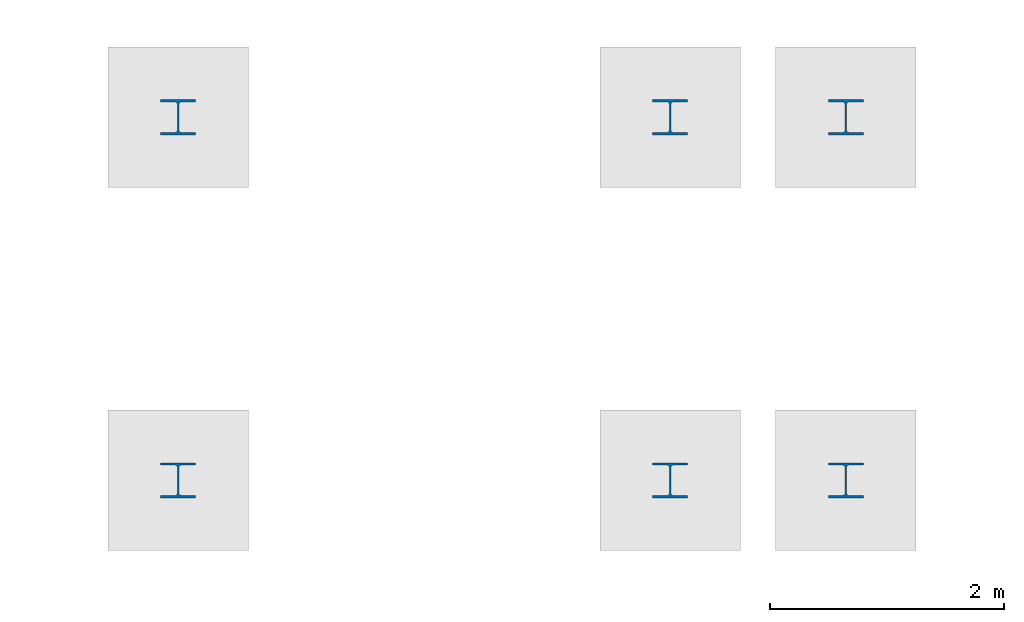
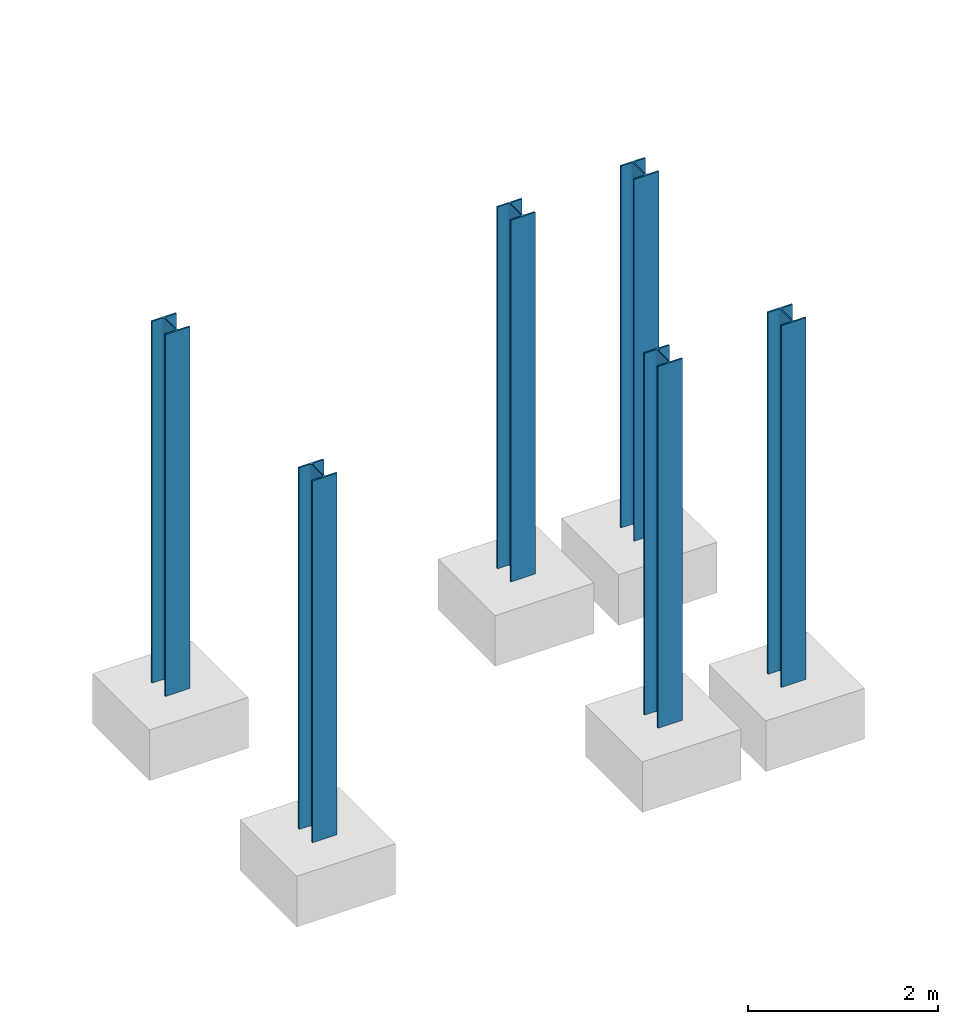
# One storey, part 6 of 22: 6 columns.
"""IFC4 building model written with IfcOpenShell, lengths in metres."""

from ifc_helpers import new_model, si_unit, direction, frame, origin, origin_2d, place, context, subcontext, project, spatial, i_section, extrude, material, material_profile, profile_set, type_object, element, save


model = new_model("IFC4")

# Units and contexts
model_context = context("Model", 3, precision=1e-05, world=origin(), true_north=direction((0.0, 1.0)))
body_context = subcontext(model_context, "Body", "Model", "MODEL_VIEW")
ifc_project = project(units=[si_unit("LENGTHUNIT", "METRE"), si_unit("AREAUNIT", "SQUARE_METRE"), si_unit("VOLUMEUNIT", "CUBIC_METRE"), si_unit("PLANEANGLEUNIT", "RADIAN"), si_unit("MASSUNIT", "GRAM", prefix="KILO")], contexts=[model_context])

# Site, building, storey
site_placement = place(None, origin())
site = spatial("IfcSite", under=ifc_project, at=site_placement, CompositionType="ELEMENT")
building_placement = place(site_placement, origin())
building = spatial("IfcBuilding", under=site, at=building_placement, Name="Mithqara Police Headquarters", CompositionType="ELEMENT")
storey_placement = place(building_placement, frame((0.0, 0.0, -8.39990234375)))
storey = spatial("IfcBuildingStorey", under=building, at=storey_placement, Name="B2", CompositionType="ELEMENT", Elevation=-8.39990234375)

# Columns
ifc_material = material(Name="Steel S355JR", Category="steel")
ifc_material_profile = material_profile(ifc_material, i_section(OverallWidth=0.300048828125, OverallDepth=0.300048828125, WebThickness=0.010986328125, FlangeThickness=0.01904296875, FilletRadius=0.027099609375, at=origin_2d()), Name="HEB 300")
ifc_profile_set = profile_set([ifc_material_profile], Name="Steel S355JR")
column_type = type_object("IfcColumnType", Name="COLUMN HEB300", PredefinedType="COLUMN", material=ifc_profile_set)
for number, where, z_axis, x_axis, name in (
    (1, (74.949951171875, 36.10009765625, -0.4501953125), (0.0, 0.0, 1.0), (1.0, 0.0, 0.0), "B2 Hall Stair Support Column"),
    (2, (74.949951171875, 39.199951171875, -0.4501953125), (0.0, 0.0, 1.0), (1.0, 0.0, 0.0), "B2 Hall Stair Support Column"),
    (3, (79.14990234375, 36.10009765625, -0.4501953125), (0.0, 0.0, 1.0), (1.0, 0.0, 0.0), "B2 Hall Stair Support Column"),
    (4, (79.14990234375, 39.199951171875, -0.4501953125), (0.0, 0.0, 1.0), (1.0, 0.0, 0.0), "B2 Hall Stair Support Column"),
    (5, (80.64990234375, 36.10009765625, -0.4501953125), (0.0, 0.0, 1.0), (1.0, 0.0, 0.0), "B2 Hall Stair Support Column"),
    (6, (80.64990234375, 39.199951171875, -0.4501953125), (0.0, 0.0, 1.0), (1.0, 0.0, 0.0), "B2 Hall Stair Support Column"),
):
    element("IfcColumn", number, at=place(storey_placement, frame(where, z_axis=z_axis, x_axis=x_axis)), inside=storey, type_object=column_type, Name=name, PredefinedType="COLUMN", context=body_context, shape_type="SweptSolid", body=[
        extrude(i_section(OverallWidth=0.300048828125, OverallDepth=0.300048828125, WebThickness=0.010986328125, FlangeThickness=0.01904296875, FilletRadius=0.027099609375, at=origin_2d()), origin(), (0.0, 0.0, 1.0), 4.650146484375),
    ])

save(model, "model.ifc")
